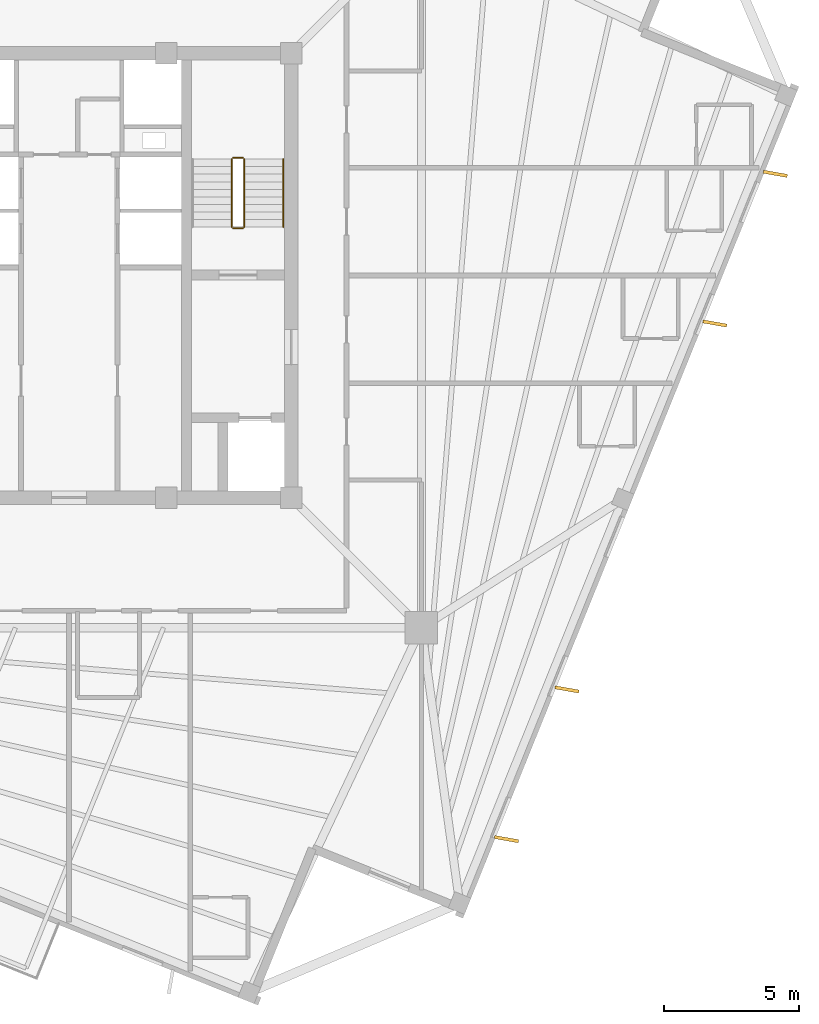
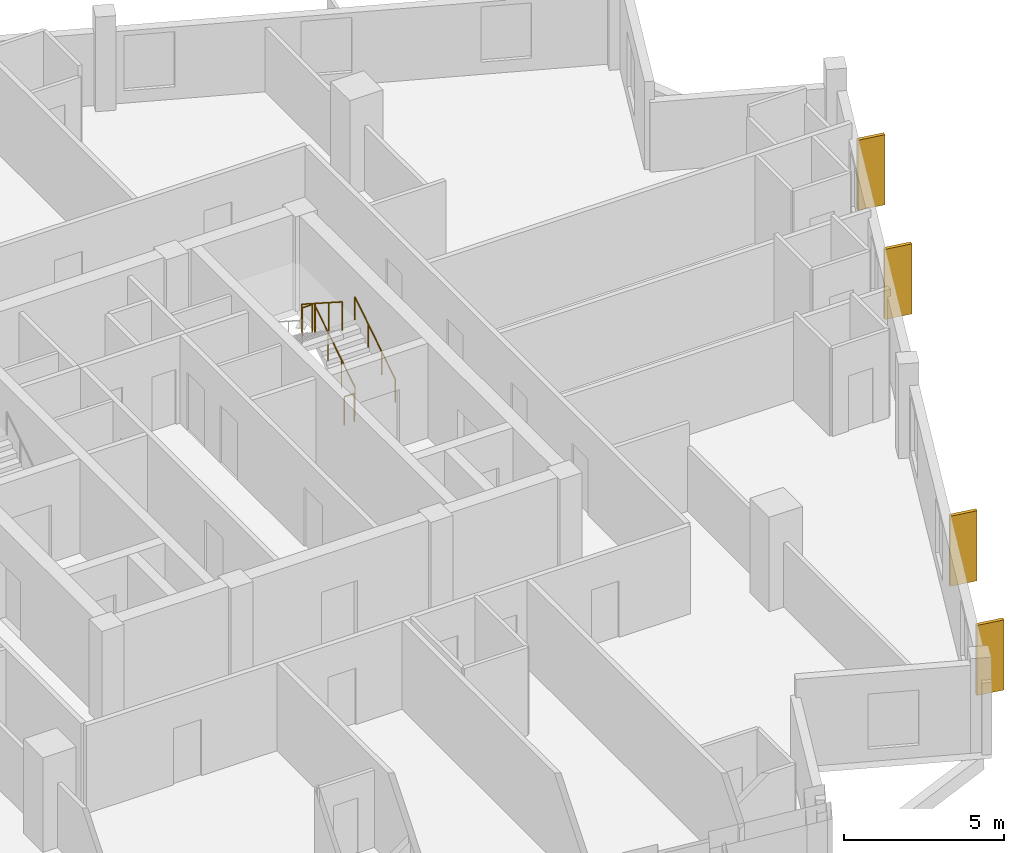
# One storey, part 8 of 9: 5 railings, 4 coverings.
"""IFC4 building model written with IfcOpenShell, lengths in metres."""

from ifc_helpers import new_model, si_unit, direction, frame, origin, origin_2d, place, context, subcontext, project, spatial, rectangle, circle, extrude, source, transform, mapped, material, layer, layer_set, type_object, element, save


model = new_model("IFC4")

# Units and contexts
model_context = context("Model", 3, precision=1e-05, world=origin(), true_north=direction((0.0, 1.0)))
body_context = subcontext(model_context, "Body", "Model", "MODEL_VIEW")
ifc_project = project(units=[si_unit("LENGTHUNIT", "METRE"), si_unit("AREAUNIT", "SQUARE_METRE"), si_unit("VOLUMEUNIT", "CUBIC_METRE"), si_unit("PLANEANGLEUNIT", "RADIAN"), si_unit("MASSUNIT", "GRAM", prefix="KILO"), si_unit("THERMODYNAMICTEMPERATUREUNIT", "KELVIN")], contexts=[model_context])

# Site, building, storey
site_placement = place(None, origin())
site = spatial("IfcSite", under=ifc_project, at=site_placement, CompositionType="ELEMENT")
building_placement = place(site_placement, origin())
building = spatial("IfcBuilding", under=site, at=building_placement, Name="Kosmvard Interchange Tower", CompositionType="ELEMENT")
storey_placement = place(building_placement, frame((0.0, 0.0, 276.0)))
storey = spatial("IfcBuildingStorey", under=building, at=storey_placement, Name="L67", CompositionType="ELEMENT", Elevation=276.0)

# Coverings
ifc_material_1 = material(Name="Architectural anodised aluminium", Category="aluminium")
ifc_layer = layer(ifc_material_1, 0.1201171875, Name="Architectural anodised aluminium")
ifc_layer_set = layer_set([ifc_layer], Name="Architectural anodised aluminium")
covering_type = type_object("IfcCoveringType", Name="Rotating Vertical Sun-Breaker Fin 900x120 Aluminium", PredefinedType="CLADDING", material=ifc_layer_set)
shared_shape_1 = source(origin(), body_context, "Body", "SweptSolid", [
    extrude(rectangle(XDim=0.89990234375, YDim=0.1201171875, at=origin_2d()), origin(), (0.0, 0.0, 1.0), 2.669921875),
])
for number, where, z_axis, x_axis, name in (
    (1, (16.2412109375, -20.932373046875, 0.0400390625), (0.0, 0.0, 1.0), (0.984625369118, -0.174679370533, 0.0), "L67 Rotating Vertical Sun-Breaker Fin 01"),
    (2, (18.4873046875, -15.373046875, 0.0400390625), (0.0, 0.0, 1.0), (0.984625369118, -0.174679370533, 0.0), "L67 Rotating Vertical Sun-Breaker Fin 02"),
    (3, (23.977783203125, -1.783935546875, 0.0400390625), (0.0, 0.0, 1.0), (0.984625369118, -0.174679370533, 0.0), "L67 Rotating Vertical Sun-Breaker Fin 03"),
    (4, (26.223876953125, 3.775390625, 0.0400390625), (0.0, 0.0, 1.0), (0.984625369118, -0.174679370533, 0.0), "L67 Rotating Vertical Sun-Breaker Fin 04"),
):
    element("IfcCovering", number, at=place(storey_placement, frame(where, z_axis=z_axis, x_axis=x_axis)), inside=storey, type_object=covering_type, Name=name, PredefinedType="CLADDING", context=body_context, shape_type="MappedRepresentation", body=[
        mapped(shared_shape_1, transform((0.0, 0.0, 0.0), scale=1.0)),
    ])

# Railings
ifc_material_2 = material(Name="Steel S355", Category="steel")
railing_type_1 = type_object("IfcRailingType", Name="Stair & Terrace Safety Guardrail 1100 Steel", PredefinedType="GUARDRAIL", material=ifc_material_2)
shared_shape_2 = source(origin(), body_context, "Body", "SweptSolid", [
    extrude(circle(Radius=0.02392578125, at=origin_2d()), frame((0.0, 0.0, 1.076171875), z_axis=(-1.0, 0.0, 0.0), x_axis=(0.0, -1.0, 0.0)), (0.0, 0.0, 1.0), 0.35986328125),
    extrude(circle(Radius=0.02099609375, at=origin_2d()), origin(), (0.0, 0.0, 1.0), 1.052001953125),
    extrude(circle(Radius=0.02099609375, at=origin_2d()), frame((-0.35986328125, 0.0, 0.0)), (0.0, 0.0, 1.0), 1.052001953125),
])
for number, where, name in (
    (5, (6.449951171875, 4.3701171875, 1.800048828125), "L67 ST-2 stair guard 2"),
    (6, (6.449951171875, 1.75, 0.0), "L67 ST-2 stair guard 4"),
):
    element("IfcRailing", number, at=place(storey_placement, frame(where)), inside=storey, type_object=railing_type_1, Name=name, PredefinedType="GUARDRAIL", context=body_context, shape_type="MappedRepresentation", body=[
        mapped(shared_shape_2, transform((0.0, 0.0, 0.0), scale=1.0)),
    ])
shared_shape_3 = source(origin(), body_context, "Body", "SweptSolid", [
    extrude(circle(Radius=0.02392578125, at=origin_2d()), frame((0.0, 0.0, 1.076171875), z_axis=(0.0, 0.841162588446, 0.540782303519), x_axis=(-1.0, 0.0, 0.0)), (0.0, 0.0, 1.0), 2.995849609375),
    extrude(circle(Radius=0.02099609375, at=origin_2d()), origin(), (0.0, 0.0, 1.0), 1.052001953125),
    extrude(circle(Radius=0.02099609375, at=origin_2d()), frame((0.0, 0.840087890625, 0.5400390625)), (0.0, 0.0, 1.0), 1.052001953125),
    extrude(circle(Radius=0.02099609375, at=origin_2d()), frame((0.0, 1.679931640625, 1.080078125)), (0.0, 0.0, 1.0), 1.052001953125),
    extrude(circle(Radius=0.02099609375, at=origin_2d()), frame((0.0, 2.52001953125, 1.6201171875)), (0.0, 0.0, 1.0), 1.052001953125),
])
railing_1_placement = place(storey_placement, frame((6.5, 1.800048828125, 0.179931640625)))
element("IfcRailing", 7, at=railing_1_placement, inside=storey, type_object=railing_type_1, Name="L67 ST-2 stair guard 1", PredefinedType="GUARDRAIL", context=body_context, shape_type="MappedRepresentation", body=[
    mapped(shared_shape_3, transform((0.0, 0.0, 0.0), scale=1.0)),
])
shared_shape_4 = source(origin(), body_context, "Body", "SweptSolid", [
    extrude(circle(Radius=0.02392578125, at=origin_2d()), frame((0.0, 0.0, 1.076171875), z_axis=(0.0, -0.841162588446, 0.540782303519), x_axis=(1.0, 0.0, 0.0)), (0.0, 0.0, 1.0), 2.995849609375),
    extrude(circle(Radius=0.02099609375, at=origin_2d()), origin(), (0.0, 0.0, 1.0), 1.052001953125),
    extrude(circle(Radius=0.02099609375, at=origin_2d()), frame((0.0, -0.840087890625, 0.5400390625)), (0.0, 0.0, 1.0), 1.052001953125),
    extrude(circle(Radius=0.02099609375, at=origin_2d()), frame((0.0, -1.679931640625, 1.080078125)), (0.0, 0.0, 1.0), 1.052001953125),
    extrude(circle(Radius=0.02099609375, at=origin_2d()), frame((0.0, -2.52001953125, 1.6201171875)), (0.0, 0.0, 1.0), 1.052001953125),
])
railing_2_placement = place(storey_placement, frame((6.0400390625, 4.320068359375, 1.97998046875)))
element("IfcRailing", 8, at=railing_2_placement, inside=storey, type_object=railing_type_1, Name="L67 ST-2 stair guard 3", PredefinedType="GUARDRAIL", context=body_context, shape_type="MappedRepresentation", body=[
    mapped(shared_shape_4, transform((0.0, 0.0, 0.0), scale=1.0)),
])
railing_type_2 = type_object("IfcRailingType", Name="Wall-Mounted Stair Handrail 900 Steel", PredefinedType="HANDRAIL", material=ifc_material_2)
shared_shape_5 = source(origin(), body_context, "Body", "SweptSolid", [
    extrude(circle(Radius=0.02392578125, at=origin_2d()), frame((0.0, 0.0, 0.8759765625), z_axis=(0.0, 0.841162588446, 0.540782303519), x_axis=(-1.0, 0.0, 0.0)), (0.0, 0.0, 1.0), 2.995849609375),
    extrude(circle(Radius=0.02099609375, at=origin_2d()), origin(), (0.0, 0.0, 1.0), 0.851806640625),
    extrude(circle(Radius=0.02099609375, at=origin_2d()), frame((0.0, 0.840087890625, 0.5400390625)), (0.0, 0.0, 1.0), 0.851806640625),
    extrude(circle(Radius=0.02099609375, at=origin_2d()), frame((0.0, 1.679931640625, 1.080078125)), (0.0, 0.0, 1.0), 0.851806640625),
    extrude(circle(Radius=0.02099609375, at=origin_2d()), frame((0.0, 2.52001953125, 1.6201171875)), (0.0, 0.0, 1.0), 0.851806640625),
])
railing_3_placement = place(storey_placement, frame((7.949951171875, 1.800048828125, 0.179931640625)))
element("IfcRailing", 9, at=railing_3_placement, inside=storey, type_object=railing_type_2, Name="L67 ST-2 stair handrail 1", PredefinedType="HANDRAIL", context=body_context, shape_type="MappedRepresentation", body=[
    mapped(shared_shape_5, transform((0.0, 0.0, 0.0), scale=1.0)),
])

save(model, "model.ifc")
